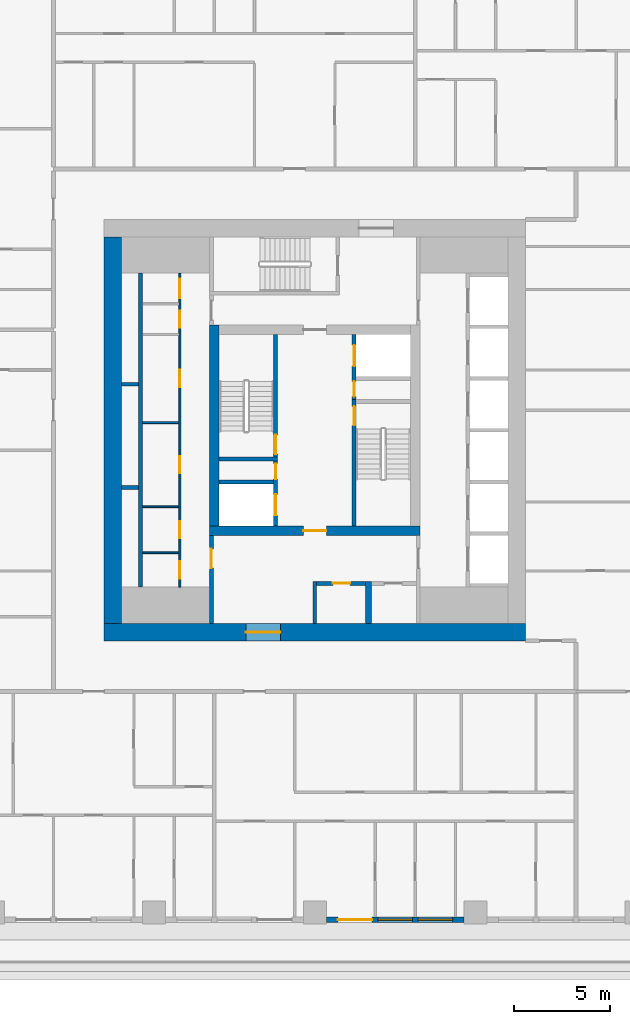
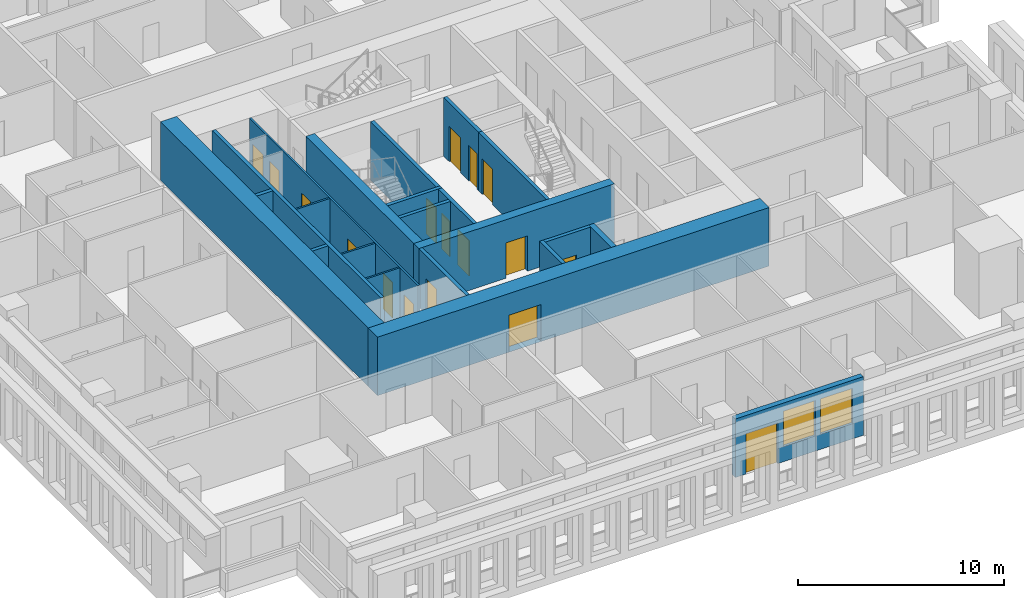
# One storey, part 4 of 17: 22 walls, 17 doors, 2 windows, 19 openings.
"""IFC4 building model written with IfcOpenShell, lengths in metres."""

from ifc_helpers import new_model, si_unit, direction, frame, frame_2d, origin, place, context, subcontext, project, spatial, rectangle, extrude, material, layer, layer_set, type_object, element, fill, save


model = new_model("IFC4")

# Units and contexts
model_context = context("Model", 3, precision=1e-05, world=origin(), true_north=direction((0.0, 1.0)))
body_context = subcontext(model_context, "Body", "Model", "MODEL_VIEW")
ifc_project = project(units=[si_unit("LENGTHUNIT", "METRE"), si_unit("AREAUNIT", "SQUARE_METRE"), si_unit("VOLUMEUNIT", "CUBIC_METRE"), si_unit("PLANEANGLEUNIT", "RADIAN"), si_unit("MASSUNIT", "GRAM", prefix="KILO")], contexts=[model_context])

# Site, building, storey
site_placement = place(None, origin())
site = spatial("IfcSite", under=ifc_project, at=site_placement, CompositionType="ELEMENT")
building_placement = place(site_placement, origin())
building = spatial("IfcBuilding", under=site, at=building_placement, Name="Khepri Terraces", CompositionType="ELEMENT")
storey_placement = place(building_placement, frame((0.0, 0.0, 188.39990234375)))
storey = spatial("IfcBuildingStorey", under=building, at=storey_placement, Name="L44", CompositionType="ELEMENT", Elevation=188.39990234375)

# Wall, opening, door
ifc_material_1 = material(Name="Concrete C50/60", Category="concrete")
ifc_layer_1 = layer(ifc_material_1, 0.199951171875, Name="Concrete C50/60", Category="concrete")
ifc_layer_set_1 = layer_set([ifc_layer_1], Name="Concrete C50/60")
wall_type_1 = type_object("IfcWallType", Name="Core wall 200 C50/60", PredefinedType="SHEAR", material=ifc_layer_set_1)
wall_1_placement = place(storey_placement, frame((2.050048828125, -5.0, 0.0), z_axis=(0.0, 0.0, 1.0), x_axis=(0.0, 1.0, 0.0)))
wall_1 = element("IfcWall", 1, at=wall_1_placement, inside=storey, type_object=wall_type_1, Name="Core wall ST01 L44", PredefinedType="SHEAR", context=body_context, shape_type="SweptSolid", body=[
    extrude(rectangle(XDim=6.60009765625, YDim=0.199951171875, at=frame_2d((3.300048828125, 0.0))), origin(), (0.0, 0.0, 1.0), 3.47998046875),
])
opening_1_placement = place(wall_1_placement, frame((5.25, 0.0, 0.0)))
opening_1 = element("IfcOpeningElement", 2, at=opening_1_placement, cuts=wall_1, Name="Opening L44-C10", PredefinedType="OPENING", context=body_context, shape_type="SweptSolid", body=[
    extrude(rectangle(XDim=1.0, YDim=2.10009765625, at=frame_2d((0.5, 1.050048828125))), frame((0.0, 0.10986328125, 0.0), z_axis=(0.0, -1.0, 0.0), x_axis=(1.0, 0.0, 0.0)), (0.0, 0.0, 1.0), 0.219970703125),
])
ifc_material_2 = material(Name="Painted steel", Category="steel")
door_type_1 = type_object("IfcDoorType", Name="DR-CORE-STAIR-1000", OperationType="NOTDEFINED", PredefinedType="DOOR", material=ifc_material_2)
door_1_placement = place(opening_1_placement, frame((1.0, 0.0, 0.0), z_axis=(0.0, 0.0, 1.0), x_axis=(-1.0, 0.0, 0.0)))
door_1 = element("IfcDoor", 3, at=door_1_placement, inside=storey, type_object=door_type_1, Name="Stair door L44-C10", OperationType="SINGLE_SWING_LEFT", OverallHeight=2.10009765625, OverallWidth=1.0, PredefinedType="DOOR", context=body_context, shape_type="SweptSolid", body=[
    extrude(rectangle(XDim=1.0, YDim=2.10009765625, at=frame_2d((0.5, 1.050048828125))), frame((0.0, 0.02490234375, 0.0), z_axis=(0.0, -1.0, 0.0), x_axis=(1.0, 0.0, 0.0)), (0.0, 0.0, 1.0), 0.050048828125),
])
fill(opening_1, door_1)

# Wall
wall_2_placement = place(storey_placement, frame((-5.0, -1.5, 0.0), z_axis=(0.0, 0.0, 1.0), x_axis=(1.0, 0.0, 0.0)))
element("IfcWall", 4, at=wall_2_placement, inside=storey, type_object=wall_type_1, Name="Core wall ST02 L44", PredefinedType="SHEAR", context=body_context, shape_type="SweptSolid", body=[
    extrude(rectangle(XDim=3.050048828125, YDim=0.199951171875, at=frame_2d((1.52490234375, 0.0))), origin(), (0.0, 0.0, 1.0), 3.47998046875),
])

# Wall, opening, door
wall_3_placement = place(storey_placement, frame((-2.050048828125, -1.39990234375, 0.0), z_axis=(0.0, 0.0, 1.0), x_axis=(0.0, 1.0, 0.0)))
wall_3 = element("IfcWall", 5, at=wall_3_placement, inside=storey, type_object=wall_type_1, Name="Core wall ST03 L44", PredefinedType="SHEAR", context=body_context, shape_type="SweptSolid", body=[
    extrude(rectangle(XDim=6.39990234375, YDim=0.199951171875, at=frame_2d((3.199951171875, 0.0))), origin(), (0.0, 0.0, 1.0), 3.47998046875),
])
opening_2_placement = place(wall_3_placement, frame((0.14990234375, 0.0, 0.0)))
opening_2 = element("IfcOpeningElement", 6, at=opening_2_placement, cuts=wall_3, Name="Opening L44-C09", PredefinedType="OPENING", context=body_context, shape_type="SweptSolid", body=[
    extrude(rectangle(XDim=1.0, YDim=2.10009765625, at=frame_2d((0.5, 1.050048828125))), frame((0.0, 0.10986328125, 0.0), z_axis=(0.0, -1.0, 0.0), x_axis=(1.0, 0.0, 0.0)), (0.0, 0.0, 1.0), 0.219970703125),
])
door_2_placement = place(opening_2_placement, origin())
door_2 = element("IfcDoor", 7, at=door_2_placement, inside=storey, type_object=door_type_1, Name="Stair door L44-C09", OperationType="SINGLE_SWING_LEFT", OverallHeight=2.10009765625, OverallWidth=1.0, PredefinedType="DOOR", context=body_context, shape_type="SweptSolid", body=[
    extrude(rectangle(XDim=1.0, YDim=2.10009765625, at=frame_2d((0.5, 1.050048828125))), frame((0.0, 0.02490234375, 0.0), z_axis=(0.0, -1.0, 0.0), x_axis=(1.0, 0.0, 0.0)), (0.0, 0.0, 1.0), 0.050048828125),
])
fill(opening_2, door_2)

# Wall
wall_4_placement = place(storey_placement, frame((-9.10009765625, -8.199951171875, 0.0), z_axis=(0.0, 0.0, 1.0), x_axis=(0.0, 1.0, 0.0)))
element("IfcWall", 8, at=wall_4_placement, inside=storey, type_object=wall_type_1, Name="Core wall SH01 L44", PredefinedType="SHEAR", context=body_context, shape_type="SweptSolid", body=[
    extrude(rectangle(XDim=16.39990234375, YDim=0.199951171875, at=frame_2d((8.199951171875, 0.0))), origin(), (0.0, 0.0, 1.0), 3.47998046875),
])

# Wall, openings, doors
wall_5_placement = place(storey_placement, frame((-2.050048828125, -5.0, 0.0), z_axis=(0.0, 0.0, 1.0), x_axis=(0.0, 1.0, 0.0)))
wall_5 = element("IfcWall", 9, at=wall_5_placement, inside=storey, type_object=wall_type_1, Name="Core wall SH05 L44", PredefinedType="SHEAR", context=body_context, shape_type="SweptSolid", body=[
    extrude(rectangle(XDim=3.39990234375, YDim=0.199951171875, at=frame_2d((1.699951171875, 0.0))), origin(), (0.0, 0.0, 1.0), 3.47998046875),
])
opening_3_placement = place(wall_5_placement, frame((0.550048828125, 0.0, 0.0)))
opening_3 = element("IfcOpeningElement", 10, at=opening_3_placement, cuts=wall_5, Name="Opening L44-C08", PredefinedType="OPENING", context=body_context, shape_type="SweptSolid", body=[
    extrude(rectangle(XDim=1.10009765625, YDim=2.10009765625, at=frame_2d((0.550048828125, 1.050048828125))), frame((0.0, 0.10986328125, 0.0), z_axis=(0.0, -1.0, 0.0), x_axis=(1.0, 0.0, 0.0)), (0.0, 0.0, 1.0), 0.219970703125),
])
opening_4_placement = place(wall_5_placement, frame((2.449951171875, 0.0, 0.0)))
opening_4 = element("IfcOpeningElement", 11, at=opening_4_placement, cuts=wall_5, Name="Opening L44-C12", PredefinedType="OPENING", context=body_context, shape_type="SweptSolid", body=[
    extrude(rectangle(XDim=0.800048828125, YDim=2.10009765625, at=frame_2d((0.39990234375, 1.050048828125))), frame((0.0, 0.10986328125, 0.0), z_axis=(0.0, -1.0, 0.0), x_axis=(1.0, 0.0, 0.0)), (0.0, 0.0, 1.0), 0.219970703125),
])
ifc_material_3 = material(Name="Stainless steel 304", Category="steel")
door_type_2 = type_object("IfcDoorType", Name="DR-CORE-FF-LANDING-1100", OperationType="NOTDEFINED", PredefinedType="DOOR", material=ifc_material_3)
door_3_placement = place(opening_3_placement, origin())
door_3 = element("IfcDoor", 12, at=door_3_placement, inside=storey, type_object=door_type_2, Name="Firefighting lift landing door L44-C08", OperationType="SLIDING_TO_LEFT", OverallHeight=2.10009765625, OverallWidth=1.10009765625, PredefinedType="DOOR", context=body_context, shape_type="SweptSolid", body=[
    extrude(rectangle(XDim=1.10009765625, YDim=2.10009765625, at=frame_2d((0.550048828125, 1.050048828125))), frame((0.0, 0.02490234375, 0.0), z_axis=(0.0, -1.0, 0.0), x_axis=(1.0, 0.0, 0.0)), (0.0, 0.0, 1.0), 0.050048828125),
])
fill(opening_3, door_3)
door_type_3 = type_object("IfcDoorType", Name="DR-CORE-RISER-800", OperationType="NOTDEFINED", PredefinedType="DOOR", material=ifc_material_2)
door_4_placement = place(opening_4_placement, origin())
door_4 = element("IfcDoor", 13, at=door_4_placement, inside=storey, type_object=door_type_3, Name="Riser door L44-C12", OperationType="SINGLE_SWING_RIGHT", OverallHeight=2.10009765625, OverallWidth=0.800048828125, PredefinedType="DOOR", context=body_context, shape_type="SweptSolid", body=[
    extrude(rectangle(XDim=0.800048828125, YDim=2.10009765625, at=frame_2d((0.39990234375, 1.050048828125))), frame((0.0, 0.02490234375, 0.0), z_axis=(0.0, -1.0, 0.0), x_axis=(1.0, 0.0, 0.0)), (0.0, 0.0, 1.0), 0.050048828125),
])
fill(opening_4, door_4)

# Walls
wall_6_placement = place(storey_placement, frame((-10.10009765625, -3.0, 0.0), z_axis=(0.0, 0.0, 1.0), x_axis=(1.0, 0.0, 0.0)))
element("IfcWall", 14, at=wall_6_placement, inside=storey, type_object=wall_type_1, Name="Core wall SH06 L44", PredefinedType="SHEAR", context=body_context, shape_type="SweptSolid", body=[
    extrude(rectangle(XDim=0.900146484375, YDim=0.199951171875, at=frame_2d((0.4501953125, 0.0))), origin(), (0.0, 0.0, 1.0), 3.47998046875),
])
wall_7_placement = place(storey_placement, frame((-5.0, -2.699951171875, 0.0), z_axis=(0.0, 0.0, 1.0), x_axis=(1.0, 0.0, 0.0)))
element("IfcWall", 15, at=wall_7_placement, inside=storey, type_object=wall_type_1, Name="Core wall SH07 L44", PredefinedType="SHEAR", context=body_context, shape_type="SweptSolid", body=[
    extrude(rectangle(XDim=2.85009765625, YDim=0.199951171875, at=frame_2d((1.425048828125, 0.0))), origin(), (0.0, 0.0, 1.0), 3.47998046875),
])

# Wall, openings, doors
wall_8_placement = place(storey_placement, frame((2.050048828125, 1.60009765625, 0.0), z_axis=(0.0, 0.0, 1.0), x_axis=(0.0, 1.0, 0.0)))
wall_8 = element("IfcWall", 16, at=wall_8_placement, inside=storey, type_object=wall_type_1, Name="Core wall SH10 L44", PredefinedType="SHEAR", context=body_context, shape_type="SweptSolid", body=[
    extrude(rectangle(XDim=3.39990234375, YDim=0.199951171875, at=frame_2d((1.699951171875, 0.0))), origin(), (0.0, 0.0, 1.0), 3.47998046875),
])
opening_5_placement = place(wall_8_placement, frame((1.75, 0.0, 0.0)))
opening_5 = element("IfcOpeningElement", 17, at=opening_5_placement, cuts=wall_8, Name="Opening L44-C07", PredefinedType="OPENING", context=body_context, shape_type="SweptSolid", body=[
    extrude(rectangle(XDim=1.10009765625, YDim=2.10009765625, at=frame_2d((0.550048828125, 1.050048828125))), frame((0.0, 0.10986328125, 0.0), z_axis=(0.0, -1.0, 0.0), x_axis=(1.0, 0.0, 0.0)), (0.0, 0.0, 1.0), 0.219970703125),
])
opening_6_placement = place(wall_8_placement, frame((0.14990234375, 0.0, 0.0)))
opening_6 = element("IfcOpeningElement", 18, at=opening_6_placement, cuts=wall_8, Name="Opening L44-C11", PredefinedType="OPENING", context=body_context, shape_type="SweptSolid", body=[
    extrude(rectangle(XDim=0.800048828125, YDim=2.10009765625, at=frame_2d((0.39990234375, 1.050048828125))), frame((0.0, 0.10986328125, 0.0), z_axis=(0.0, -1.0, 0.0), x_axis=(1.0, 0.0, 0.0)), (0.0, 0.0, 1.0), 0.219970703125),
])
door_5_placement = place(opening_5_placement, origin())
door_5 = element("IfcDoor", 19, at=door_5_placement, inside=storey, type_object=door_type_2, Name="Firefighting lift landing door L44-C07", OperationType="SLIDING_TO_LEFT", OverallHeight=2.10009765625, OverallWidth=1.10009765625, PredefinedType="DOOR", context=body_context, shape_type="SweptSolid", body=[
    extrude(rectangle(XDim=1.10009765625, YDim=2.10009765625, at=frame_2d((0.550048828125, 1.050048828125))), frame((0.0, 0.02490234375, 0.0), z_axis=(0.0, -1.0, 0.0), x_axis=(1.0, 0.0, 0.0)), (0.0, 0.0, 1.0), 0.050048828125),
])
fill(opening_5, door_5)
door_6_placement = place(opening_6_placement, frame((0.800048828125, 0.0, 0.0), z_axis=(0.0, 0.0, 1.0), x_axis=(-1.0, 0.0, 0.0)))
door_6 = element("IfcDoor", 20, at=door_6_placement, inside=storey, type_object=door_type_3, Name="Riser door L44-C11", OperationType="SINGLE_SWING_RIGHT", OverallHeight=2.10009765625, OverallWidth=0.800048828125, PredefinedType="DOOR", context=body_context, shape_type="SweptSolid", body=[
    extrude(rectangle(XDim=0.800048828125, YDim=2.10009765625, at=frame_2d((0.39990234375, 1.050048828125))), frame((0.0, 0.02490234375, 0.0), z_axis=(0.0, -1.0, 0.0), x_axis=(1.0, 0.0, 0.0)), (0.0, 0.0, 1.0), 0.050048828125),
])
fill(opening_6, door_6)

# Wall
wall_9_placement = place(storey_placement, frame((-10.10009765625, 2.39990234375, 0.0), z_axis=(0.0, 0.0, 1.0), x_axis=(1.0, 0.0, 0.0)))
element("IfcWall", 21, at=wall_9_placement, inside=storey, type_object=wall_type_1, Name="Core wall SH11 L44", PredefinedType="SHEAR", context=body_context, shape_type="SweptSolid", body=[
    extrude(rectangle(XDim=0.900146484375, YDim=0.199951171875, at=frame_2d((0.4501953125, 0.0))), origin(), (0.0, 0.0, 1.0), 3.47998046875),
])

# Wall, opening, door
ifc_layer_2 = layer(ifc_material_1, 0.5, Name="Concrete C50/60", Category="concrete")
ifc_layer_set_2 = layer_set([ifc_layer_2], Name="Concrete C50/60")
wall_type_2 = type_object("IfcWallType", Name="Core wall 500 C50/60", PredefinedType="SHEAR", material=ifc_layer_set_2)
wall_10_placement = place(storey_placement, frame((-5.5, -5.25, 0.0), z_axis=(0.0, 0.0, 1.0), x_axis=(1.0, 0.0, 0.0)))
wall_10 = element("IfcWall", 22, at=wall_10_placement, inside=storey, type_object=wall_type_2, Name="Core wall BX01 L44", PredefinedType="SHEAR", context=body_context, shape_type="SweptSolid", body=[
    extrude(rectangle(XDim=11.0, YDim=0.5, at=frame_2d((5.5, 0.0))), origin(), (0.0, 0.0, 1.0), 3.47998046875),
])
opening_7_placement = place(wall_10_placement, frame((4.89990234375, 0.0, 0.0)))
opening_7 = element("IfcOpeningElement", 23, at=opening_7_placement, cuts=wall_10, Name="Opening L44-C14", PredefinedType="OPENING", context=body_context, shape_type="SweptSolid", body=[
    extrude(rectangle(XDim=1.199951171875, YDim=2.10009765625, at=frame_2d((0.60009765625, 1.050048828125))), frame((0.0, 0.260009765625, 0.0), z_axis=(0.0, -1.0, 0.0), x_axis=(1.0, 0.0, 0.0)), (0.0, 0.0, 1.0), 0.52001953125),
])
door_type_4 = type_object("IfcDoorType", Name="DR-CORE-FF-LOBBY-1200", OperationType="NOTDEFINED", PredefinedType="DOOR", material=ifc_material_2)
door_7_placement = place(opening_7_placement, origin())
door_7 = element("IfcDoor", 24, at=door_7_placement, inside=storey, type_object=door_type_4, Name="Firefighting lobby door L44-C14", OperationType="SINGLE_SWING_RIGHT", OverallHeight=2.10009765625, OverallWidth=1.199951171875, PredefinedType="DOOR", context=body_context, shape_type="SweptSolid", body=[
    extrude(rectangle(XDim=1.199951171875, YDim=2.10009765625, at=frame_2d((0.60009765625, 1.050048828125))), frame((0.0, 0.02490234375, 0.0), z_axis=(0.0, -1.0, 0.0), x_axis=(1.0, 0.0, 0.0)), (0.0, 0.0, 1.0), 0.050048828125),
])
fill(opening_7, door_7)

# Wall
wall_11_placement = place(storey_placement, frame((-5.25, -5.0, 0.0), z_axis=(0.0, 0.0, 1.0), x_axis=(0.0, 1.0, 0.0)))
element("IfcWall", 25, at=wall_11_placement, inside=storey, type_object=wall_type_2, Name="Core wall BX02 L44", PredefinedType="SHEAR", context=body_context, shape_type="SweptSolid", body=[
    extrude(rectangle(XDim=10.5, YDim=0.5, at=frame_2d((5.25, 0.0))), origin(), (0.0, 0.0, 1.0), 3.47998046875),
])

# Wall, opening, door
ifc_layer_3 = layer(ifc_material_1, 0.89990234375, Name="Concrete C50/60", Category="concrete")
ifc_layer_set_3 = layer_set([ifc_layer_3], Name="Concrete C50/60")
wall_type_3 = type_object("IfcWallType", Name="Core wall 900 C50/60", PredefinedType="SHEAR", material=ifc_layer_set_3)
wall_12_placement = place(storey_placement, frame((-11.0, -10.550048828125, 0.0), z_axis=(0.0, 0.0, 1.0), x_axis=(1.0, 0.0, 0.0)))
wall_12 = element("IfcWall", 26, at=wall_12_placement, inside=storey, type_object=wall_type_3, Name="Core wall OW-S L44", PredefinedType="SHEAR", context=body_context, shape_type="SweptSolid", body=[
    extrude(rectangle(XDim=22.0, YDim=0.89990234375, at=frame_2d((11.0, 0.0))), origin(), (0.0, 0.0, 1.0), 3.47998046875),
])
opening_8_placement = place(wall_12_placement, frame((7.39990234375, 0.0, 0.0)))
opening_8 = element("IfcOpeningElement", 27, at=opening_8_placement, cuts=wall_12, Name="Opening L44-C21", PredefinedType="OPENING", context=body_context, shape_type="SweptSolid", body=[
    extrude(rectangle(XDim=1.800048828125, YDim=2.199951171875, at=frame_2d((0.89990234375, 1.10009765625))), frame((0.0, 0.4599609375, 0.0), z_axis=(0.0, -1.0, 0.0), x_axis=(1.0, 0.0, 0.0)), (0.0, 0.0, 1.0), 0.919921875),
])
door_type_5 = type_object("IfcDoorType", Name="DR-CORE-ENTRANCE-1800", OperationType="NOTDEFINED", PredefinedType="DOOR", material=ifc_material_2)
door_8_placement = place(opening_8_placement, frame((1.800048828125, 0.0, 0.0), z_axis=(0.0, 0.0, 1.0), x_axis=(-1.0, 0.0, 0.0)))
door_8 = element("IfcDoor", 28, at=door_8_placement, inside=storey, type_object=door_type_5, Name="Core entrance door pair L44-C21", OperationType="DOUBLE_DOOR_SINGLE_SWING", OverallHeight=2.199951171875, OverallWidth=1.800048828125, PredefinedType="DOOR", context=body_context, shape_type="SweptSolid", body=[
    extrude(rectangle(XDim=1.800048828125, YDim=2.199951171875, at=frame_2d((0.89990234375, 1.10009765625))), frame((0.0, 0.02490234375, 0.0), z_axis=(0.0, -1.0, 0.0), x_axis=(1.0, 0.0, 0.0)), (0.0, 0.0, 1.0), 0.050048828125),
])
fill(opening_8, door_8)

# Wall
wall_13_placement = place(storey_placement, frame((-10.550048828125, -10.10009765625, 0.0), z_axis=(0.0, 0.0, 1.0), x_axis=(0.0, 1.0, 0.0)))
element("IfcWall", 29, at=wall_13_placement, inside=storey, type_object=wall_type_3, Name="Core wall OW-W L44", PredefinedType="SHEAR", context=body_context, shape_type="SweptSolid", body=[
    extrude(rectangle(XDim=20.2001953125, YDim=0.89990234375, at=frame_2d((10.10009765625, 0.0))), origin(), (0.0, 0.0, 1.0), 3.47998046875),
])

# Wall, openings, doors
ifc_material_4 = material(Name="Fire-rated gypsum board partition")
ifc_layer_4 = layer(ifc_material_4, 0.10009765625, Name="Fire-rated gypsum board partition")
ifc_layer_set_4 = layer_set([ifc_layer_4], Name="Fire-rated gypsum board partition")
wall_type_4 = type_object("IfcWallType", Name="WL-CORE-PART-100", PredefinedType="PARTITIONING", material=ifc_layer_set_4)
wall_14_placement = place(storey_placement, frame((-7.050048828125, -8.199951171875, 0.0), z_axis=(0.0, 0.0, 1.0), x_axis=(0.0, 1.0, 0.0)))
wall_14 = element("IfcWall", 30, at=wall_14_placement, inside=storey, type_object=wall_type_4, Name="Core partition PT05 L44", PredefinedType="PARTITIONING", context=body_context, shape_type="SweptSolid", body=[
    extrude(rectangle(XDim=16.39990234375, YDim=0.10009765625, at=frame_2d((8.199951171875, 0.0))), origin(), (0.0, 0.0, 1.0), 3.47998046875),
])
opening_9_placement = place(wall_14_placement, frame((0.449951171875, 0.0, 0.0)))
opening_9 = element("IfcOpeningElement", 31, at=opening_9_placement, cuts=wall_14, Name="Opening L44-C24", PredefinedType="OPENING", context=body_context, shape_type="SweptSolid", body=[
    extrude(rectangle(XDim=0.89990234375, YDim=2.10009765625, at=frame_2d((0.449951171875, 1.050048828125))), frame((0.0, 0.06005859375, 0.0), z_axis=(0.0, -1.0, 0.0), x_axis=(1.0, 0.0, 0.0)), (0.0, 0.0, 1.0), 0.1201171875),
])
opening_10_placement = place(wall_14_placement, frame((2.550048828125, 0.0, 0.0)))
opening_10 = element("IfcOpeningElement", 32, at=opening_10_placement, cuts=wall_14, Name="Opening L44-C25", PredefinedType="OPENING", context=body_context, shape_type="SweptSolid", body=[
    extrude(rectangle(XDim=0.89990234375, YDim=2.10009765625, at=frame_2d((0.449951171875, 1.050048828125))), frame((0.0, 0.06005859375, 0.0), z_axis=(0.0, -1.0, 0.0), x_axis=(1.0, 0.0, 0.0)), (0.0, 0.0, 1.0), 0.1201171875),
])
opening_11_placement = place(wall_14_placement, frame((5.949951171875, 0.0, 0.0)))
opening_11 = element("IfcOpeningElement", 33, at=opening_11_placement, cuts=wall_14, Name="Opening L44-C26", PredefinedType="OPENING", context=body_context, shape_type="SweptSolid", body=[
    extrude(rectangle(XDim=0.89990234375, YDim=2.10009765625, at=frame_2d((0.449951171875, 1.050048828125))), frame((0.0, 0.06005859375, 0.0), z_axis=(0.0, -1.0, 0.0), x_axis=(1.0, 0.0, 0.0)), (0.0, 0.0, 1.0), 0.1201171875),
])
opening_12_placement = place(wall_14_placement, frame((10.449951171875, 0.0, 0.0)))
opening_12 = element("IfcOpeningElement", 34, at=opening_12_placement, cuts=wall_14, Name="Opening L44-C27", PredefinedType="OPENING", context=body_context, shape_type="SweptSolid", body=[
    extrude(rectangle(XDim=0.89990234375, YDim=2.10009765625, at=frame_2d((0.449951171875, 1.050048828125))), frame((0.0, 0.06005859375, 0.0), z_axis=(0.0, -1.0, 0.0), x_axis=(1.0, 0.0, 0.0)), (0.0, 0.0, 1.0), 0.1201171875),
])
opening_13_placement = place(wall_14_placement, frame((13.550048828125, 0.0, 0.0)))
opening_13 = element("IfcOpeningElement", 35, at=opening_13_placement, cuts=wall_14, Name="Opening L44-C28", PredefinedType="OPENING", context=body_context, shape_type="SweptSolid", body=[
    extrude(rectangle(XDim=0.89990234375, YDim=2.10009765625, at=frame_2d((0.449951171875, 1.050048828125))), frame((0.0, 0.06005859375, 0.0), z_axis=(0.0, -1.0, 0.0), x_axis=(1.0, 0.0, 0.0)), (0.0, 0.0, 1.0), 0.1201171875),
])
opening_14_placement = place(wall_14_placement, frame((15.10009765625, 0.0, 0.0)))
opening_14 = element("IfcOpeningElement", 36, at=opening_14_placement, cuts=wall_14, Name="Opening L44-C29", PredefinedType="OPENING", context=body_context, shape_type="SweptSolid", body=[
    extrude(rectangle(XDim=1.0, YDim=2.10009765625, at=frame_2d((0.5, 1.050048828125))), frame((0.0, 0.06005859375, 0.0), z_axis=(0.0, -1.0, 0.0), x_axis=(1.0, 0.0, 0.0)), (0.0, 0.0, 1.0), 0.1201171875),
])
door_type_6 = type_object("IfcDoorType", Name="DR-CORE-SERVICE-900", OperationType="NOTDEFINED", PredefinedType="DOOR", material=ifc_material_2)
door_9_placement = place(opening_9_placement, origin())
door_9 = element("IfcDoor", 37, at=door_9_placement, inside=storey, type_object=door_type_6, Name="Service room door L44-C24", OperationType="SINGLE_SWING_LEFT", OverallHeight=2.10009765625, OverallWidth=0.89990234375, PredefinedType="DOOR", context=body_context, shape_type="SweptSolid", body=[
    extrude(rectangle(XDim=0.89990234375, YDim=2.10009765625, at=frame_2d((0.449951171875, 1.050048828125))), frame((0.0, 0.02490234375, 0.0), z_axis=(0.0, -1.0, 0.0), x_axis=(1.0, 0.0, 0.0)), (0.0, 0.0, 1.0), 0.050048828125),
])
fill(opening_9, door_9)
door_10_placement = place(opening_10_placement, origin())
door_10 = element("IfcDoor", 38, at=door_10_placement, inside=storey, type_object=door_type_6, Name="Service room door L44-C25", OperationType="SINGLE_SWING_LEFT", OverallHeight=2.10009765625, OverallWidth=0.89990234375, PredefinedType="DOOR", context=body_context, shape_type="SweptSolid", body=[
    extrude(rectangle(XDim=0.89990234375, YDim=2.10009765625, at=frame_2d((0.449951171875, 1.050048828125))), frame((0.0, 0.02490234375, 0.0), z_axis=(0.0, -1.0, 0.0), x_axis=(1.0, 0.0, 0.0)), (0.0, 0.0, 1.0), 0.050048828125),
])
fill(opening_10, door_10)
door_11_placement = place(opening_11_placement, origin())
door_11 = element("IfcDoor", 39, at=door_11_placement, inside=storey, type_object=door_type_6, Name="Service room door L44-C26", OperationType="SINGLE_SWING_LEFT", OverallHeight=2.10009765625, OverallWidth=0.89990234375, PredefinedType="DOOR", context=body_context, shape_type="SweptSolid", body=[
    extrude(rectangle(XDim=0.89990234375, YDim=2.10009765625, at=frame_2d((0.449951171875, 1.050048828125))), frame((0.0, 0.02490234375, 0.0), z_axis=(0.0, -1.0, 0.0), x_axis=(1.0, 0.0, 0.0)), (0.0, 0.0, 1.0), 0.050048828125),
])
fill(opening_11, door_11)
door_12_placement = place(opening_12_placement, origin())
door_12 = element("IfcDoor", 40, at=door_12_placement, inside=storey, type_object=door_type_6, Name="Service room door L44-C27", OperationType="SINGLE_SWING_RIGHT", OverallHeight=2.10009765625, OverallWidth=0.89990234375, PredefinedType="DOOR", context=body_context, shape_type="SweptSolid", body=[
    extrude(rectangle(XDim=0.89990234375, YDim=2.10009765625, at=frame_2d((0.449951171875, 1.050048828125))), frame((0.0, 0.02490234375, 0.0), z_axis=(0.0, -1.0, 0.0), x_axis=(1.0, 0.0, 0.0)), (0.0, 0.0, 1.0), 0.050048828125),
])
fill(opening_12, door_12)
door_13_placement = place(opening_13_placement, origin())
door_13 = element("IfcDoor", 41, at=door_13_placement, inside=storey, type_object=door_type_6, Name="Service room door L44-C28", OperationType="SINGLE_SWING_RIGHT", OverallHeight=2.10009765625, OverallWidth=0.89990234375, PredefinedType="DOOR", context=body_context, shape_type="SweptSolid", body=[
    extrude(rectangle(XDim=0.89990234375, YDim=2.10009765625, at=frame_2d((0.449951171875, 1.050048828125))), frame((0.0, 0.02490234375, 0.0), z_axis=(0.0, -1.0, 0.0), x_axis=(1.0, 0.0, 0.0)), (0.0, 0.0, 1.0), 0.050048828125),
])
fill(opening_13, door_13)
ifc_material_5 = material(Name="Timber veneer", Category="wood")
door_type_7 = type_object("IfcDoorType", Name="DR-CORE-WC-1000", OperationType="NOTDEFINED", PredefinedType="DOOR", material=ifc_material_5)
door_14_placement = place(opening_14_placement, origin())
door_14 = element("IfcDoor", 42, at=door_14_placement, inside=storey, type_object=door_type_7, Name="WC door L44-C29", OperationType="SINGLE_SWING_RIGHT", OverallHeight=2.10009765625, OverallWidth=1.0, PredefinedType="DOOR", context=body_context, shape_type="SweptSolid", body=[
    extrude(rectangle(XDim=1.0, YDim=2.10009765625, at=frame_2d((0.5, 1.050048828125))), frame((0.0, 0.02490234375, 0.0), z_axis=(0.0, -1.0, 0.0), x_axis=(1.0, 0.0, 0.0)), (0.0, 0.0, 1.0), 0.050048828125),
])
fill(opening_14, door_14)

# Walls
for number, where, z_axis, x_axis, name in (
    (43, (-9.0, -6.39990234375, 0.0), (0.0, 0.0, 1.0), (1.0, 0.0, 0.0), "Core partition PT08 L44"),
    (44, (-9.0, -4.0, 0.0), (0.0, 0.0, 1.0), (1.0, 0.0, 0.0), "Core partition PT09 L44"),
    (45, (-9.0, 0.39990234375, 0.0), (0.0, 0.0, 1.0), (1.0, 0.0, 0.0), "Core partition PT10 L44"),
):
    element("IfcWall", number, at=place(storey_placement, frame(where, z_axis=z_axis, x_axis=x_axis)), inside=storey, type_object=wall_type_4, Name=name, PredefinedType="PARTITIONING", context=body_context, shape_type="SweptSolid", body=[
        extrude(rectangle(XDim=1.89990234375, YDim=0.10009765625, at=frame_2d((0.949951171875, 0.0))), origin(), (0.0, 0.0, 1.0), 3.47998046875),
    ])

# Wall, opening, door
ifc_layer_5 = layer(ifc_material_4, 0.199951171875, Name="Fire-rated gypsum board partition")
ifc_layer_set_5 = layer_set([ifc_layer_5], Name="Fire-rated gypsum board partition")
wall_type_5 = type_object("IfcWallType", Name="WL-CORE-PART-200", PredefinedType="PARTITIONING", material=ifc_layer_set_5)
wall_15_placement = place(storey_placement, frame((-5.39990234375, -10.10009765625, 0.0), z_axis=(0.0, 0.0, 1.0), x_axis=(0.0, 1.0, 0.0)))
wall_15 = element("IfcWall", 46, at=wall_15_placement, inside=storey, type_object=wall_type_5, Name="Core partition PT01 L44", PredefinedType="PARTITIONING", context=body_context, shape_type="SweptSolid", body=[
    extrude(rectangle(XDim=4.60009765625, YDim=0.199951171875, at=frame_2d((2.300048828125, 0.0))), origin(), (0.0, 0.0, 1.0), 3.47998046875),
])
opening_15_placement = place(wall_15_placement, frame((2.89990234375, 0.0, 0.0)))
opening_15 = element("IfcOpeningElement", 47, at=opening_15_placement, cuts=wall_15, Name="Opening L44-C18", PredefinedType="OPENING", context=body_context, shape_type="SweptSolid", body=[
    extrude(rectangle(XDim=1.0, YDim=2.10009765625, at=frame_2d((0.5, 1.050048828125))), frame((0.0, 0.10986328125, 0.0), z_axis=(0.0, -1.0, 0.0), x_axis=(1.0, 0.0, 0.0)), (0.0, 0.0, 1.0), 0.219970703125),
])
door_type_8 = type_object("IfcDoorType", Name="DR-CORE-LOBBY-1000", OperationType="NOTDEFINED", PredefinedType="DOOR", material=ifc_material_2)
door_15_placement = place(opening_15_placement, frame((1.0, 0.0, 0.0), z_axis=(0.0, 0.0, 1.0), x_axis=(-1.0, 0.0, 0.0)))
door_15 = element("IfcDoor", 48, at=door_15_placement, inside=storey, type_object=door_type_8, Name="Lobby door L44-C18", OperationType="SINGLE_SWING_LEFT", OverallHeight=2.10009765625, OverallWidth=1.0, PredefinedType="DOOR", context=body_context, shape_type="SweptSolid", body=[
    extrude(rectangle(XDim=1.0, YDim=2.10009765625, at=frame_2d((0.5, 1.050048828125))), frame((0.0, 0.02490234375, 0.0), z_axis=(0.0, -1.0, 0.0), x_axis=(1.0, 0.0, 0.0)), (0.0, 0.0, 1.0), 0.050048828125),
])
fill(opening_15, door_15)

# Wall
wall_16_placement = place(storey_placement, frame((0.0, -10.10009765625, 0.0), z_axis=(0.0, 0.0, 1.0), x_axis=(0.0, 1.0, 0.0)))
element("IfcWall", 49, at=wall_16_placement, inside=storey, type_object=wall_type_5, Name="Core partition PT02 L44", PredefinedType="PARTITIONING", context=body_context, shape_type="SweptSolid", body=[
    extrude(rectangle(XDim=2.2001953125, YDim=0.199951171875, at=frame_2d((1.10009765625, 0.0))), origin(), (0.0, 0.0, 1.0), 3.47998046875),
])

# Wall, opening, door
wall_17_placement = place(storey_placement, frame((0.10009765625, -8.0, 0.0), z_axis=(0.0, 0.0, 1.0), x_axis=(1.0, 0.0, 0.0)))
wall_17 = element("IfcWall", 50, at=wall_17_placement, inside=storey, type_object=wall_type_5, Name="Core partition PT06 L44", PredefinedType="PARTITIONING", context=body_context, shape_type="SweptSolid", body=[
    extrude(rectangle(XDim=2.5498046875, YDim=0.199951171875, at=frame_2d((1.27490234375, 0.0))), origin(), (0.0, 0.0, 1.0), 3.47998046875),
])
opening_16_placement = place(wall_17_placement, frame((0.85009765625, 0.0, 0.0)))
opening_16 = element("IfcOpeningElement", 51, at=opening_16_placement, cuts=wall_17, Name="Opening L44-C22", PredefinedType="OPENING", context=body_context, shape_type="SweptSolid", body=[
    extrude(rectangle(XDim=0.89990234375, YDim=2.10009765625, at=frame_2d((0.449951171875, 1.050048828125))), frame((0.0, 0.10986328125, 0.0), z_axis=(0.0, -1.0, 0.0), x_axis=(1.0, 0.0, 0.0)), (0.0, 0.0, 1.0), 0.219970703125),
])
door_16_placement = place(opening_16_placement, frame((0.89990234375, 0.0, 0.0), z_axis=(0.0, 0.0, 1.0), x_axis=(-1.0, 0.0, 0.0)))
door_16 = element("IfcDoor", 52, at=door_16_placement, inside=storey, type_object=door_type_6, Name="Service room door L44-C22", OperationType="SINGLE_SWING_LEFT", OverallHeight=2.10009765625, OverallWidth=0.89990234375, PredefinedType="DOOR", context=body_context, shape_type="SweptSolid", body=[
    extrude(rectangle(XDim=0.89990234375, YDim=2.10009765625, at=frame_2d((0.449951171875, 1.050048828125))), frame((0.0, 0.02490234375, 0.0), z_axis=(0.0, -1.0, 0.0), x_axis=(1.0, 0.0, 0.0)), (0.0, 0.0, 1.0), 0.050048828125),
])
fill(opening_16, door_16)

# Wall
ifc_layer_6 = layer(ifc_material_4, 0.300048828125, Name="Fire-rated gypsum board partition")
ifc_layer_set_6 = layer_set([ifc_layer_6], Name="Fire-rated gypsum board partition")
wall_type_6 = type_object("IfcWallType", Name="WL-CORE-PART-300", PredefinedType="PARTITIONING", material=ifc_layer_set_6)
wall_18_placement = place(storey_placement, frame((2.800048828125, -10.10009765625, 0.0), z_axis=(0.0, 0.0, 1.0), x_axis=(0.0, 1.0, 0.0)))
element("IfcWall", 53, at=wall_18_placement, inside=storey, type_object=wall_type_6, Name="Core partition PT03 L44", PredefinedType="PARTITIONING", context=body_context, shape_type="SweptSolid", body=[
    extrude(rectangle(XDim=2.2001953125, YDim=0.300048828125, at=frame_2d((1.10009765625, 0.0))), origin(), (0.0, 0.0, 1.0), 3.47998046875),
])

# Wall, openings, door, windows
ifc_material_6 = material(Name="Precast concrete C50/60 warm stone", Category="masonry")
ifc_layer_7 = layer(ifc_material_6, 0.300048828125, Name="Precast concrete C50/60 warm stone", Category="masonry")
ifc_layer_set_7 = layer_set([ifc_layer_7], Name="Precast concrete C50/60 warm stone")
wall_type_7 = type_object("IfcWallType", Name="WL-EXT-PRECAST-300", PredefinedType="STANDARD", material=ifc_layer_set_7)
wall_19_placement = place(storey_placement, frame((0.60009765625, -25.570068359375, 0.0), z_axis=(0.0, 0.0, 1.0), x_axis=(1.0, 0.0, 0.0)))
wall_19 = element("IfcWall", 54, at=wall_19_placement, inside=storey, type_object=wall_type_7, Name="External wall L44 S", PredefinedType="STANDARD", context=body_context, shape_type="SweptSolid", body=[
    extrude(rectangle(XDim=7.199951171875, YDim=0.300048828125, at=frame_2d((3.60009765625, 0.0))), origin(), (0.0, 0.0, 1.0), 3.47998046875),
])
opening_17_placement = place(wall_19_placement, frame((0.60009765625, 0.0, 0.0)))
opening_17 = element("IfcOpeningElement", 55, at=opening_17_placement, cuts=wall_19, Name="Opening ED-L44-21", PredefinedType="OPENING", context=body_context, shape_type="SweptSolid", body=[
    extrude(rectangle(XDim=1.800048828125, YDim=2.39990234375, at=frame_2d((0.89990234375, 1.199951171875))), frame((0.0, 0.16015625, 0.0), z_axis=(0.0, -1.0, 0.0), x_axis=(1.0, 0.0, 0.0)), (0.0, 0.0, 1.0), 0.320068359375),
])
opening_18_placement = place(wall_19_placement, frame((2.699951171875, 0.0, 0.89990234375)))
opening_18 = element("IfcOpeningElement", 56, at=opening_18_placement, cuts=wall_19, Name="Opening W1", PredefinedType="OPENING", context=body_context, shape_type="SweptSolid", body=[
    extrude(rectangle(XDim=1.800048828125, YDim=2.10009765625, at=frame_2d((0.89990234375, 1.050048828125))), frame((0.0, 0.16015625, 0.0), z_axis=(0.0, -1.0, 0.0), x_axis=(1.0, 0.0, 0.0)), (0.0, 0.0, 1.0), 0.320068359375),
])
opening_19_placement = place(wall_19_placement, frame((4.800048828125, 0.0, 0.89990234375)))
opening_19 = element("IfcOpeningElement", 57, at=opening_19_placement, cuts=wall_19, Name="Opening W1", PredefinedType="OPENING", context=body_context, shape_type="SweptSolid", body=[
    extrude(rectangle(XDim=1.800048828125, YDim=2.10009765625, at=frame_2d((0.89990234375, 1.050048828125))), frame((0.0, 0.16015625, 0.0), z_axis=(0.0, -1.0, 0.0), x_axis=(1.0, 0.0, 0.0)), (0.0, 0.0, 1.0), 0.320068359375),
])
ifc_material_7 = material(Name="Anodised aluminium bronze glazed door", Category="aluminium")
door_type_9 = type_object("IfcDoorType", Name="DR-BAL-SLIDE-1800x2400", OperationType="NOTDEFINED", PredefinedType="DOOR", material=ifc_material_7)
door_17_placement = place(opening_17_placement, origin())
door_17 = element("IfcDoor", 58, at=door_17_placement, inside=storey, type_object=door_type_9, Name="Balcony door L44 S", OperationType="SLIDING_TO_LEFT", OverallHeight=2.39990234375, OverallWidth=1.800048828125, PredefinedType="DOOR", context=body_context, shape_type="SweptSolid", body=[
    extrude(rectangle(XDim=1.800048828125, YDim=2.39990234375, at=frame_2d((0.89990234375, 1.199951171875))), frame((0.0, 0.02490234375, 0.0), z_axis=(0.0, -1.0, 0.0), x_axis=(1.0, 0.0, 0.0)), (0.0, 0.0, 1.0), 0.050048828125),
])
fill(opening_17, door_17)
ifc_material_8 = material(Name="Clear glass", Category="glass")
window_type = type_object("IfcWindowType", Name="WIN-RES-1800x2100", PartitioningType="SINGLE_PANEL", PredefinedType="WINDOW", material=ifc_material_8)
window_1_placement = place(opening_18_placement, origin())
window_1 = element("IfcWindow", 59, at=window_1_placement, inside=storey, type_object=window_type, Name="Window L44 S", OverallHeight=2.10009765625, OverallWidth=1.800048828125, PartitioningType="SINGLE_PANEL", PredefinedType="WINDOW", context=body_context, shape_type="SweptSolid", body=[
    extrude(rectangle(XDim=1.800048828125, YDim=2.10009765625, at=frame_2d((0.89990234375, 1.050048828125))), frame((0.0, 0.030029296875, 0.0), z_axis=(0.0, -1.0, 0.0), x_axis=(1.0, 0.0, 0.0)), (0.0, 0.0, 1.0), 0.06005859375),
])
fill(opening_18, window_1)
window_2_placement = place(opening_19_placement, origin())
window_2 = element("IfcWindow", 60, at=window_2_placement, inside=storey, type_object=window_type, Name="Window L44 S", OverallHeight=2.10009765625, OverallWidth=1.800048828125, PartitioningType="SINGLE_PANEL", PredefinedType="WINDOW", context=body_context, shape_type="SweptSolid", body=[
    extrude(rectangle(XDim=1.800048828125, YDim=2.10009765625, at=frame_2d((0.89990234375, 1.050048828125))), frame((0.0, 0.030029296875, 0.0), z_axis=(0.0, -1.0, 0.0), x_axis=(1.0, 0.0, 0.0)), (0.0, 0.0, 1.0), 0.06005859375),
])
fill(opening_19, window_2)

save(model, "model.ifc")
